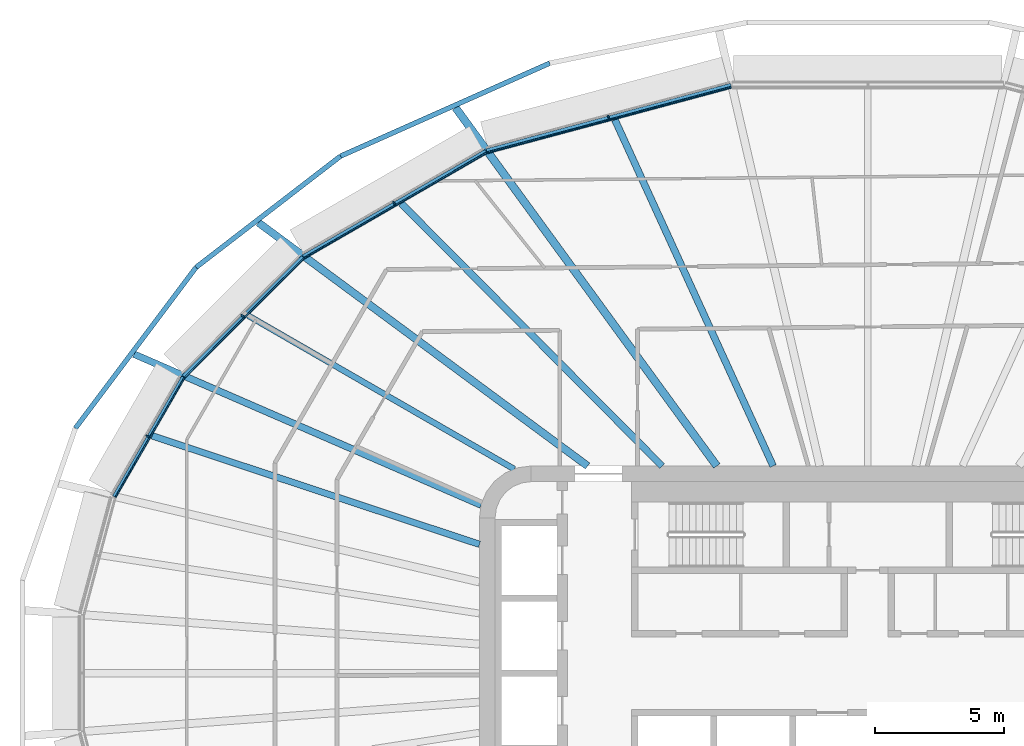
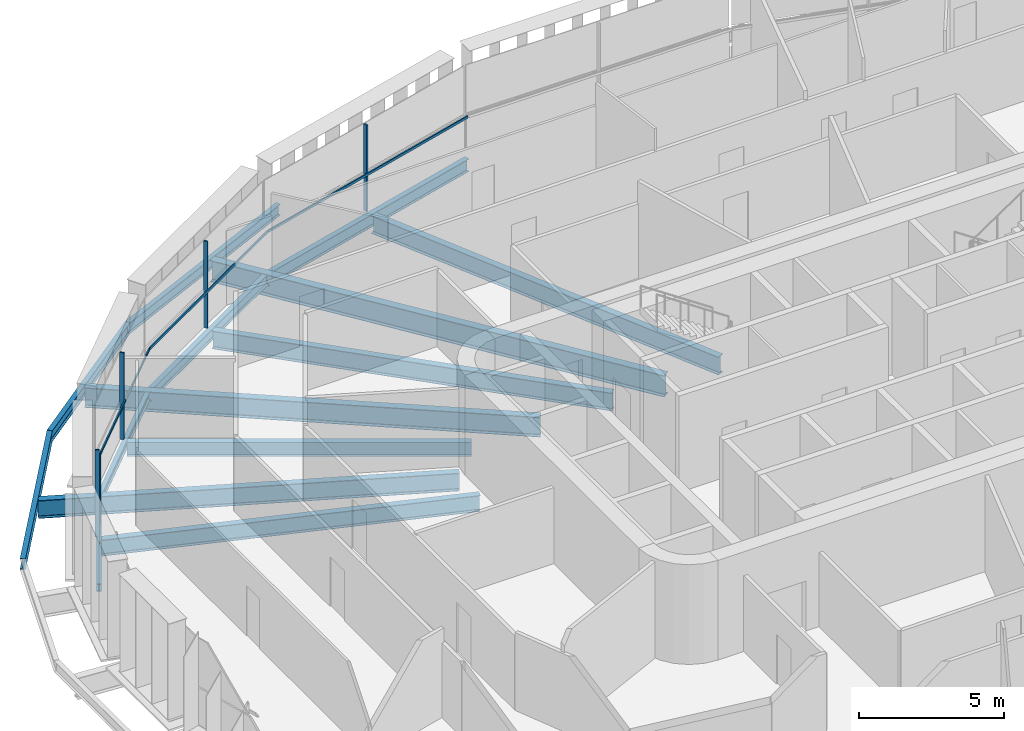
# One storey, part 6 of 23: 14 beams, 8 members, 4 elements without a shape of their own.
"""IFC4 building model written with IfcOpenShell, lengths in metres."""

from ifc_helpers import new_model, si_unit, direction, frame, origin, origin_2d, place, context, subcontext, project, spatial, rectangle, i_section, extrude, material, layer, layer_set, material_profile, profile_set, type_object, element, aggregate, save


model = new_model("IFC4")

# Units and contexts
model_context = context("Model", 3, precision=1e-05, world=origin(), true_north=direction((0.0, 1.0)))
body_context = subcontext(model_context, "Body", "Model", "MODEL_VIEW")
ifc_project = project(units=[si_unit("LENGTHUNIT", "METRE"), si_unit("AREAUNIT", "SQUARE_METRE"), si_unit("VOLUMEUNIT", "CUBIC_METRE"), si_unit("PLANEANGLEUNIT", "RADIAN"), si_unit("MASSUNIT", "GRAM", prefix="KILO")], contexts=[model_context])

# Site, building, storey
site_placement = place(None, origin())
site = spatial("IfcSite", under=ifc_project, at=site_placement, CompositionType="ELEMENT")
building_placement = place(site_placement, origin())
building = spatial("IfcBuilding", under=site, at=building_placement, Name="Sahrelin Media Tower", CompositionType="ELEMENT")
storey_placement = place(building_placement, frame((0.0, 0.0, 54.60009765625)))
storey = spatial("IfcBuildingStorey", under=building, at=storey_placement, Name="L08", CompositionType="ELEMENT", Elevation=54.60009765625)

# Beams
ifc_material_1 = material(Name="Steel S355", Category="steel")
ifc_material_profile_1 = material_profile(ifc_material_1, i_section(OverallWidth=0.1650390625, OverallDepth=0.303466796875, WebThickness=0.006103515625, FlangeThickness=0.01025390625, FilletRadius=0.0087890625, at=origin_2d()), Name="UB 305x165x40")
ifc_profile_set_1 = profile_set([ifc_material_profile_1], Name="Steel S355")
beam_type_1 = type_object("IfcBeamType", Name="Edge beam EB2", PredefinedType="BEAM", material=ifc_profile_set_1)
beam_1_placement = place(storey_placement, frame((-29.09814453125, 6.810546875, -0.3017578125), z_axis=(0.500020745744, 0.866013425892, 0.0), x_axis=(-0.866013425892, 0.500020745744, 0.0)))
element("IfcBeam", 1, at=beam_1_placement, inside=storey, type_object=beam_type_1, Name="Edge beam L08-15", PredefinedType="BEAM", context=body_context, shape_type="SweptSolid", body=[
    extrude(i_section(OverallWidth=0.1650390625, OverallDepth=0.303466796875, WebThickness=0.006103515625, FlangeThickness=0.01025390625, FilletRadius=0.0087890625, at=origin_2d()), origin(), (0.0, 0.0, 1.0), 5.337158203125),
])
ifc_material_profile_2 = material_profile(ifc_material_1, i_section(OverallWidth=0.17138671875, OverallDepth=0.35498046875, WebThickness=0.00732421875, FlangeThickness=0.011474609375, FilletRadius=0.01025390625, at=origin_2d()), Name="UB 356x171x51")
ifc_profile_set_2 = profile_set([ifc_material_profile_2], Name="Steel S355")
beam_type_2 = type_object("IfcBeamType", Name="Edge beam EB3", PredefinedType="BEAM", material=ifc_profile_set_2)
beam_2_placement = place(storey_placement, frame((-26.412109375, 11.45556640625, -0.32763671875), z_axis=(0.707106781187, 0.707106781187, 0.0), x_axis=(-0.707106781187, 0.707106781187, 0.0)))
element("IfcBeam", 2, at=beam_2_placement, inside=storey, type_object=beam_type_2, Name="Edge beam L08-16", PredefinedType="BEAM", context=body_context, shape_type="SweptSolid", body=[
    extrude(i_section(OverallWidth=0.17138671875, OverallDepth=0.35498046875, WebThickness=0.00732421875, FlangeThickness=0.011474609375, FilletRadius=0.01025390625, at=origin_2d()), origin(), (0.0, 0.0, 1.0), 6.505126953125),
])
ifc_material_profile_3 = material_profile(ifc_material_1, i_section(OverallWidth=0.1904296875, OverallDepth=0.45703125, WebThickness=0.009033203125, FlangeThickness=0.014404296875, FilletRadius=0.01025390625, at=origin_2d()), Name="UB 457x191x74")
ifc_profile_set_3 = profile_set([ifc_material_profile_3], Name="Steel S355")
beam_type_3 = type_object("IfcBeamType", Name="Edge beam EB5", PredefinedType="BEAM", material=ifc_profile_set_3)
beam_3_placement = place(storey_placement, frame((-21.789306640625, 16.07275390625, -0.378662109375), z_axis=(0.866023644935, 0.500003046405, 0.0), x_axis=(-0.500003046405, 0.866023644935, 0.0)))
element("IfcBeam", 3, at=beam_3_placement, inside=storey, type_object=beam_type_3, Name="Edge beam L08-17", PredefinedType="BEAM", context=body_context, shape_type="SweptSolid", body=[
    extrude(i_section(OverallWidth=0.1904296875, OverallDepth=0.45703125, WebThickness=0.009033203125, FlangeThickness=0.014404296875, FilletRadius=0.01025390625, at=origin_2d()), origin(), (0.0, 0.0, 1.0), 8.13427734375),
])
ifc_material_profile_4 = material_profile(ifc_material_1, i_section(OverallWidth=0.208740234375, OverallDepth=0.5283203125, WebThickness=0.009521484375, FlangeThickness=0.01318359375, FilletRadius=0.0126953125, at=origin_2d()), Name="UB 533x210x82")
ifc_profile_set_4 = profile_set([ifc_material_profile_4], Name="Steel S355")
beam_type_4 = type_object("IfcBeamType", Name="Edge beam EB6", PredefinedType="BEAM", material=ifc_profile_set_4)
beam_4_placement = place(storey_placement, frame((-14.71826171875, 20.15087890625, -0.414306640625), z_axis=(0.965922401416, 0.258831826565, 0.0), x_axis=(-0.258831826565, 0.965922401416, 0.0)))
element("IfcBeam", 4, at=beam_4_placement, inside=storey, type_object=beam_type_4, Name="Edge beam L08-18", PredefinedType="BEAM", context=body_context, shape_type="SweptSolid", body=[
    extrude(i_section(OverallWidth=0.208740234375, OverallDepth=0.5283203125, WebThickness=0.009521484375, FlangeThickness=0.01318359375, FilletRadius=0.0126953125, at=origin_2d()), origin(), (0.0, 0.0, 1.0), 9.77197265625),
])

# Curtain wall, member
ifc_material_2 = material(Name="Champagne anodised aluminium 6063-T6", Category="aluminium")
ifc_layer = layer(ifc_material_2, 0.14990234375)
ifc_layer_set = layer_set([ifc_layer], Name="Tower ribbon curtain wall")
curtain_wall_type = type_object("IfcCurtainWallType", Name="Tower ribbon curtain wall", PredefinedType="NOTDEFINED", material=ifc_layer_set)
curtain_wall_1_placement = place(storey_placement, frame((-10.03759765625, 21.560302734375, 0.0), z_axis=(0.0, 0.0, 1.0), x_axis=(1.0, 0.0, 0.0)))
curtain_wall_1 = element("IfcCurtainWall", 5, at=curtain_wall_1_placement, inside=storey, type_object=curtain_wall_type, Name="L08:CW:L08-07", PredefinedType="NOTDEFINED")
ifc_material_profile_5 = material_profile(ifc_material_2, rectangle(XDim=0.06005859375, YDim=0.14990234375, at=origin_2d()), Name="Mullion 60x150")
ifc_profile_set_5 = profile_set([ifc_material_profile_5], Name="Champagne anodised aluminium 6063-T6")
member_type_1 = type_object("IfcMemberType", Name="Mullion 60x150 CW1", PredefinedType="MULLION", material=ifc_profile_set_5)
member_1_placement = place(storey_placement, frame((-10.012939453125, 21.46875, 0.0), z_axis=(0.0, 0.0, 1.0), x_axis=(-0.965926278012, -0.258817359244, 0.0)))
member_1 = element("IfcMember", 6, at=member_1_placement, type_object=member_type_1, Name="L08:CWM:L08-07", PredefinedType="MULLION", context=body_context, shape_type="SweptSolid", body=[
    extrude(rectangle(XDim=0.06005859375, YDim=0.14990234375, at=origin_2d()), origin(), (0.0, 0.0, 1.0), 3.6484375),
])

curtain_wall_2_placement = place(storey_placement, frame((-18.342041015625, 18.236328125, 0.0), z_axis=(0.0, 0.0, 1.0), x_axis=(1.0, 0.0, 0.0)))
curtain_wall_2 = element("IfcCurtainWall", 7, at=curtain_wall_2_placement, inside=storey, type_object=curtain_wall_type, Name="L08:CW:L08-08", PredefinedType="NOTDEFINED")
member_2_placement = place(storey_placement, frame((-18.294677734375, 18.154052734375, 0.0), z_axis=(0.0, 0.0, 1.0), x_axis=(-0.866027149108, -0.499996976998, 0.0)))
member_2 = element("IfcMember", 8, at=member_2_placement, type_object=member_type_1, Name="L08:CWM:L08-08", PredefinedType="MULLION", context=body_context, shape_type="SweptSolid", body=[
    extrude(rectangle(XDim=0.06005859375, YDim=0.14990234375, at=origin_2d()), origin(), (0.0, 0.0, 1.0), 3.6484375),
])

curtain_wall_3_placement = place(storey_placement, frame((-24.21826171875, 13.861572265625, 0.0), z_axis=(0.0, 0.0, 1.0), x_axis=(1.0, 0.0, 0.0)))
curtain_wall_3 = element("IfcCurtainWall", 9, at=curtain_wall_3_placement, inside=storey, type_object=curtain_wall_type, Name="L08:CW:L08-09", PredefinedType="NOTDEFINED")
member_3_placement = place(storey_placement, frame((-24.15087890625, 13.794189453125, 0.0), z_axis=(0.0, 0.0, 1.0), x_axis=(-0.707106781187, -0.707106781187, 0.0)))
member_3 = element("IfcMember", 10, at=member_3_placement, type_object=member_type_1, Name="L08:CWM:L08-09", PredefinedType="MULLION", context=body_context, shape_type="SweptSolid", body=[
    extrude(rectangle(XDim=0.06005859375, YDim=0.14990234375, at=origin_2d()), origin(), (0.0, 0.0, 1.0), 3.6484375),
])

curtain_wall_4_placement = place(storey_placement, frame((-27.893798828125, 9.196533203125, 0.0), z_axis=(0.0, 0.0, 1.0), x_axis=(1.0, 0.0, 0.0)))
curtain_wall_4 = element("IfcCurtainWall", 11, at=curtain_wall_4_placement, inside=storey, type_object=curtain_wall_type, Name="L08:CW:L08-10", PredefinedType="NOTDEFINED")
member_4_placement = place(storey_placement, frame((-27.811279296875, 9.149169921875, 0.0), z_axis=(0.0, 0.0, 1.0), x_axis=(-0.499990930976, -0.866030639725, 0.0)))
member_4 = element("IfcMember", 12, at=member_4_placement, type_object=member_type_1, Name="L08:CWM:L08-10", PredefinedType="MULLION", context=body_context, shape_type="SweptSolid", body=[
    extrude(rectangle(XDim=0.06005859375, YDim=0.14990234375, at=origin_2d()), origin(), (0.0, 0.0, 1.0), 3.6484375),
])

# Beams
ifc_material_profile_6 = material_profile(ifc_material_1, i_section(OverallWidth=0.291748046875, OverallDepth=0.8349609375, WebThickness=0.013916015625, FlangeThickness=0.018798828125, FilletRadius=0.017822265625, at=origin_2d()), Name="UB 838x292x176")
ifc_profile_set_6 = profile_set([ifc_material_profile_6], Name="Steel S355")
beam_type_5 = type_object("IfcBeamType", Name="Radial primary beam PB10", PredefinedType="BEAM", material=ifc_profile_set_6)
beam_5_placement = place(storey_placement, frame((-10.821533203125, 8.0, -0.5673828125), z_axis=(-0.804124174179, 0.594461363337, 0.0), x_axis=(-0.594461363337, -0.804124174179, 0.0)))
element("IfcBeam", 13, at=beam_5_placement, inside=storey, type_object=beam_type_5, Name="Radial beam L08-09", PredefinedType="BEAM", context=body_context, shape_type="SweptSolid", body=[
    extrude(i_section(OverallWidth=0.291748046875, OverallDepth=0.8349609375, WebThickness=0.013916015625, FlangeThickness=0.018798828125, FilletRadius=0.017822265625, at=origin_2d()), origin(), (0.0, 0.0, 1.0), 15.81787109375),
])
ifc_material_profile_7 = material_profile(ifc_material_1, i_section(OverallWidth=0.30322265625, OverallDepth=0.903076171875, WebThickness=0.01513671875, FlangeThickness=0.020263671875, FilletRadius=0.01904296875, at=origin_2d()), Name="UB 914x305x201")
ifc_profile_set_7 = profile_set([ifc_material_profile_7], Name="Steel S355")
beam_type_6 = type_object("IfcBeamType", Name="Radial primary beam PB11", PredefinedType="BEAM", material=ifc_profile_set_7)
beam_6_placement = place(storey_placement, frame((-5.832275390625, 8.0, -0.6015625), z_axis=(-0.589106230623, 0.808055597741, 0.0), x_axis=(-0.808055597741, -0.589106230623, 0.0)))
element("IfcBeam", 14, at=beam_6_placement, inside=storey, type_object=beam_type_6, Name="Radial beam L08-08", PredefinedType="BEAM", context=body_context, shape_type="SweptSolid", body=[
    extrude(i_section(OverallWidth=0.30322265625, OverallDepth=0.903076171875, WebThickness=0.01513671875, FlangeThickness=0.020263671875, FilletRadius=0.01904296875, at=origin_2d()), origin(), (0.0, 0.0, 1.0), 17.126220703125),
])
ifc_material_profile_8 = material_profile(ifc_material_1, i_section(OverallWidth=0.26513671875, OverallDepth=0.75390625, WebThickness=0.0126953125, FlangeThickness=0.017578125, FilletRadius=0.0166015625, at=origin_2d()), Name="UB 762x267x147")
ifc_profile_set_8 = profile_set([ifc_material_profile_8], Name="Steel S355")
beam_type_7 = type_object("IfcBeamType", Name="Radial primary beam PB9", PredefinedType="BEAM", material=ifc_profile_set_8)
beam_7_placement = place(storey_placement, frame((-14.935302734375, 6.491943359375, -0.527099609375), z_axis=(-0.917108819055, 0.398636945115, 0.0), x_axis=(-0.398636945115, -0.917108819055, 0.0)))
element("IfcBeam", 15, at=beam_7_placement, inside=storey, type_object=beam_type_7, Name="Radial beam L08-10", PredefinedType="BEAM", context=body_context, shape_type="SweptSolid", body=[
    extrude(i_section(OverallWidth=0.26513671875, OverallDepth=0.75390625, WebThickness=0.0126953125, FlangeThickness=0.017578125, FilletRadius=0.0166015625, at=origin_2d()), origin(), (0.0, 0.0, 1.0), 14.61767578125),
])
ifc_material_profile_9 = material_profile(ifc_material_1, i_section(OverallWidth=0.2275390625, OverallDepth=0.6025390625, WebThickness=0.010498046875, FlangeThickness=0.014892578125, FilletRadius=0.0126953125, at=origin_2d()), Name="UB 610x229x101")
ifc_profile_set_9 = profile_set([ifc_material_profile_9], Name="Steel S355")
beam_type_8 = type_object("IfcBeamType", Name="Radial secondary beam SB7", PredefinedType="BEAM", material=ifc_profile_set_9)
beam_8_placement = place(storey_placement, frame((-13.6513671875, 7.87646484375, -0.451416015625), z_axis=(-0.866166758016, 0.499755087325, 0.0), x_axis=(-0.499755087325, -0.866166758016, 0.0)))
element("IfcBeam", 16, at=beam_8_placement, inside=storey, type_object=beam_type_8, Name="Secondary beam L08-09", PredefinedType="BEAM", context=body_context, shape_type="SweptSolid", body=[
    extrude(i_section(OverallWidth=0.2275390625, OverallDepth=0.6025390625, WebThickness=0.010498046875, FlangeThickness=0.014892578125, FilletRadius=0.0126953125, at=origin_2d()), origin(), (0.0, 0.0, 1.0), 11.87353515625),
])
ifc_material_profile_10 = material_profile(ifc_material_1, i_section(OverallWidth=0.2529296875, OverallDepth=0.677978515625, WebThickness=0.01171875, FlangeThickness=0.01611328125, FilletRadius=0.01513671875, at=origin_2d()), Name="UB 686x254x125")
ifc_profile_set_10 = profile_set([ifc_material_profile_10], Name="Steel S355")
beam_type_9 = type_object("IfcBeamType", Name="Radial secondary beam SB8", PredefinedType="BEAM", material=ifc_profile_set_10)
beam_9_placement = place(storey_placement, frame((-15.0, 4.973388671875, -0.489013671875), z_axis=(-0.949189781098, 0.314704241247, 0.0), x_axis=(-0.314704241247, -0.949189781098, 0.0)))
element("IfcBeam", 17, at=beam_9_placement, inside=storey, type_object=beam_type_9, Name="Secondary beam L08-10", PredefinedType="BEAM", context=body_context, shape_type="SweptSolid", body=[
    extrude(i_section(OverallWidth=0.2529296875, OverallDepth=0.677978515625, WebThickness=0.01171875, FlangeThickness=0.01611328125, FilletRadius=0.01513671875, at=origin_2d()), origin(), (0.0, 0.0, 1.0), 13.320068359375),
])
ifc_material_profile_11 = material_profile(ifc_material_1, i_section(OverallWidth=0.26513671875, OverallDepth=0.75390625, WebThickness=0.0126953125, FlangeThickness=0.017578125, FilletRadius=0.0166015625, at=origin_2d()), Name="UB 762x267x147")
ifc_profile_set_11 = profile_set([ifc_material_profile_11], Name="Steel S355")
beam_type_10 = type_object("IfcBeamType", Name="Radial secondary beam SB9", PredefinedType="BEAM", material=ifc_profile_set_11)
beam_10_placement = place(storey_placement, frame((-3.656494140625, 8.0, -0.527099609375), z_axis=(-0.41567654801, 0.909512510873, 0.0), x_axis=(-0.909512510873, -0.41567654801, 0.0)))
element("IfcBeam", 18, at=beam_10_placement, inside=storey, type_object=beam_type_10, Name="Secondary beam L08-07", PredefinedType="BEAM", context=body_context, shape_type="SweptSolid", body=[
    extrude(i_section(OverallWidth=0.26513671875, OverallDepth=0.75390625, WebThickness=0.0126953125, FlangeThickness=0.017578125, FilletRadius=0.0166015625, at=origin_2d()), origin(), (0.0, 0.0, 1.0), 14.69970703125),
])
beam_11_placement = place(storey_placement, frame((-7.947021484375, 8.0, -0.527099609375), z_axis=(-0.704754041549, 0.709451718527, 0.0), x_axis=(-0.709451718527, -0.704754041549, 0.0)))
element("IfcBeam", 19, at=beam_11_placement, inside=storey, type_object=beam_type_10, Name="Secondary beam L08-08", PredefinedType="BEAM", context=body_context, shape_type="SweptSolid", body=[
    extrude(i_section(OverallWidth=0.26513671875, OverallDepth=0.75390625, WebThickness=0.0126953125, FlangeThickness=0.017578125, FilletRadius=0.0166015625, at=origin_2d()), origin(), (0.0, 0.0, 1.0), 14.2919921875),
])
ifc_material_profile_12 = material_profile(ifc_material_1, i_section(OverallWidth=0.1904296875, OverallDepth=0.45703125, WebThickness=0.009033203125, FlangeThickness=0.014404296875, FilletRadius=0.01025390625, at=origin_2d()), Name="UB 457x191x74")
ifc_profile_set_12 = profile_set([ifc_material_profile_12], Name="Steel S355")
beam_type_11 = type_object("IfcBeamType", Name="Tie chord TC5", PredefinedType="BEAM", material=ifc_profile_set_12)
beam_12_placement = place(storey_placement, frame((-12.28662109375, 23.558349609375, -0.378662109375), z_axis=(-0.913822939174, -0.406112836338, 0.0), x_axis=(0.406112836338, -0.913822939174, 0.0)))
element("IfcBeam", 20, at=beam_12_placement, inside=storey, type_object=beam_type_11, Name="Tie chord L08-08", PredefinedType="BEAM", context=body_context, shape_type="SweptSolid", body=[
    extrude(i_section(OverallWidth=0.1904296875, OverallDepth=0.45703125, WebThickness=0.009033203125, FlangeThickness=0.014404296875, FilletRadius=0.01025390625, at=origin_2d()), origin(), (0.0, 0.0, 1.0), 8.83837890625),
])
beam_13_placement = place(storey_placement, frame((-20.36328125, 19.968994140625, -0.378662109375), z_axis=(-0.792453844902, -0.609931884475, 0.0), x_axis=(0.609931884475, -0.792453844902, 0.0)))
element("IfcBeam", 21, at=beam_13_placement, inside=storey, type_object=beam_type_11, Name="Tie chord L08-09", PredefinedType="BEAM", context=body_context, shape_type="SweptSolid", body=[
    extrude(i_section(OverallWidth=0.1904296875, OverallDepth=0.45703125, WebThickness=0.009033203125, FlangeThickness=0.014404296875, FilletRadius=0.01025390625, at=origin_2d()), origin(), (0.0, 0.0, 1.0), 7.04248046875),
])
beam_14_placement = place(storey_placement, frame((-25.944091796875, 15.673583984375, -0.378662109375), z_axis=(-0.600040211361, -0.7999698399, 0.0), x_axis=(0.7999698399, -0.600040211361, 0.0)))
element("IfcBeam", 22, at=beam_14_placement, inside=storey, type_object=beam_type_11, Name="Tie chord L08-10", PredefinedType="BEAM", context=body_context, shape_type="SweptSolid", body=[
    extrude(i_section(OverallWidth=0.1904296875, OverallDepth=0.45703125, WebThickness=0.009033203125, FlangeThickness=0.014404296875, FilletRadius=0.01025390625, at=origin_2d()), origin(), (0.0, 0.0, 1.0), 7.771240234375),
])

# Member
ifc_material_profile_13 = material_profile(ifc_material_2, rectangle(XDim=0.050048828125, YDim=0.10009765625, at=origin_2d()), Name="Transom 50x100")
ifc_profile_set_13 = profile_set([ifc_material_profile_13], Name="Champagne anodised aluminium 6063-T6")
member_type_2 = type_object("IfcMemberType", Name="Transom 50x100 CW1", PredefinedType="USERDEFINED", material=ifc_profile_set_13)
member_5_placement = place(storey_placement, frame((-5.28271484375, 22.632568359375, 1.599853515625), z_axis=(-0.965927242268, -0.258813760539, 0.0), x_axis=(0.258813760539, -0.965927242268, 0.0)))
member_5 = element("IfcMember", 23, at=member_5_placement, type_object=member_type_2, Name="L08:CWT:L08-07", ObjectType="TRANSOM", PredefinedType="USERDEFINED", context=body_context, shape_type="SweptSolid", body=[
    extrude(rectangle(XDim=0.050048828125, YDim=0.10009765625, at=origin_2d()), origin(), (0.0, 0.0, 1.0), 9.740478515625),
])

aggregate(curtain_wall_1, [member_1, member_5])

member_6_placement = place(storey_placement, frame((-14.73583984375, 20.093017578125, 1.599853515625), z_axis=(-0.866035564294, -0.499982401068, 0.0), x_axis=(0.499982401068, -0.866035564294, 0.0)))
member_6 = element("IfcMember", 24, at=member_6_placement, type_object=member_type_2, Name="L08:CWT:L08-08", ObjectType="TRANSOM", PredefinedType="USERDEFINED", context=body_context, shape_type="SweptSolid", body=[
    extrude(rectangle(XDim=0.050048828125, YDim=0.10009765625, at=origin_2d()), origin(), (0.0, 0.0, 1.0), 8.102783203125),
])

aggregate(curtain_wall_2, [member_2, member_6])

member_7_placement = place(storey_placement, frame((-21.79150390625, 16.012451171875, 1.599853515625), z_axis=(-0.707106781187, -0.707106781187, 0.0), x_axis=(0.707106781187, -0.707106781187, 0.0)))
member_7 = element("IfcMember", 25, at=member_7_placement, type_object=member_type_2, Name="L08:CWT:L08-09", ObjectType="TRANSOM", PredefinedType="USERDEFINED", context=body_context, shape_type="SweptSolid", body=[
    extrude(rectangle(XDim=0.050048828125, YDim=0.10009765625, at=origin_2d()), origin(), (0.0, 0.0, 1.0), 6.473876953125),
])

aggregate(curtain_wall_3, [member_3, member_7])

member_8_placement = place(storey_placement, frame((-26.3984375, 11.396484375, 1.599853515625), z_axis=(-0.499989321821, -0.866031568746, 0.0), x_axis=(0.866031568746, -0.499989321821, 0.0)))
member_8 = element("IfcMember", 26, at=member_8_placement, type_object=member_type_2, Name="L08:CWT:L08-10", ObjectType="TRANSOM", PredefinedType="USERDEFINED", context=body_context, shape_type="SweptSolid", body=[
    extrude(rectangle(XDim=0.050048828125, YDim=0.10009765625, at=origin_2d()), origin(), (0.0, 0.0, 1.0), 5.3056640625),
])

aggregate(curtain_wall_4, [member_4, member_8])

save(model, "model.ifc")
